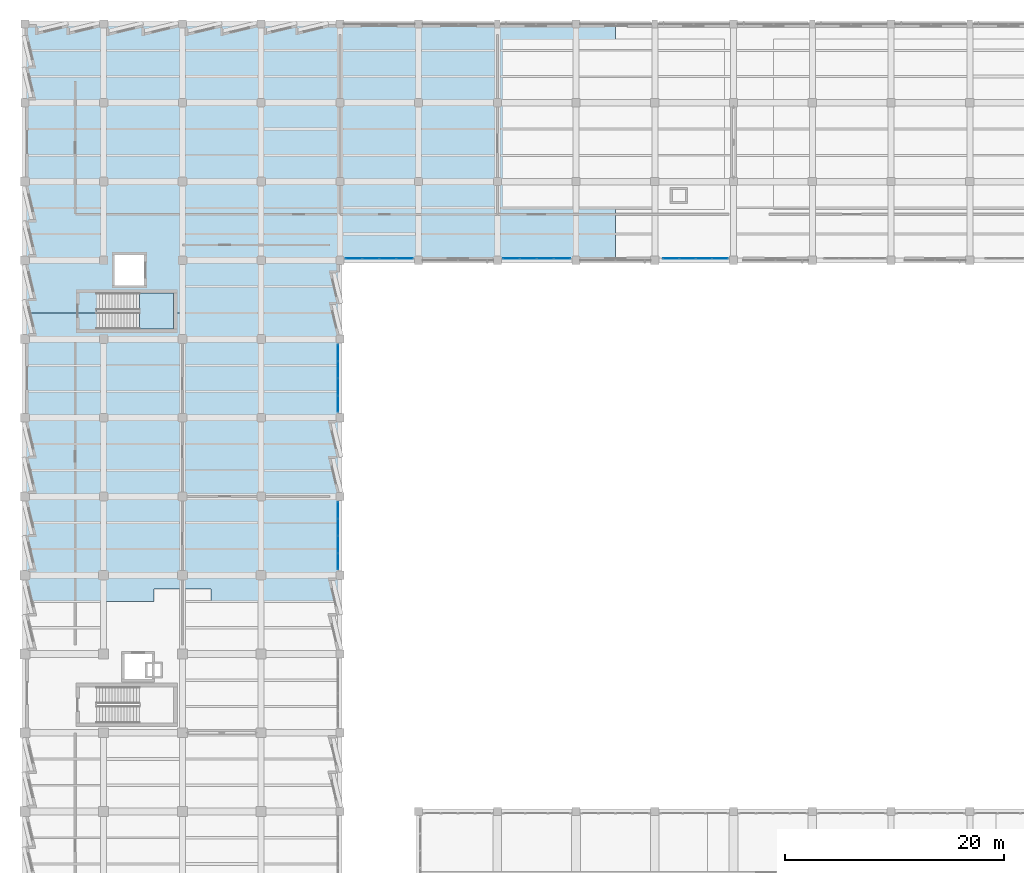
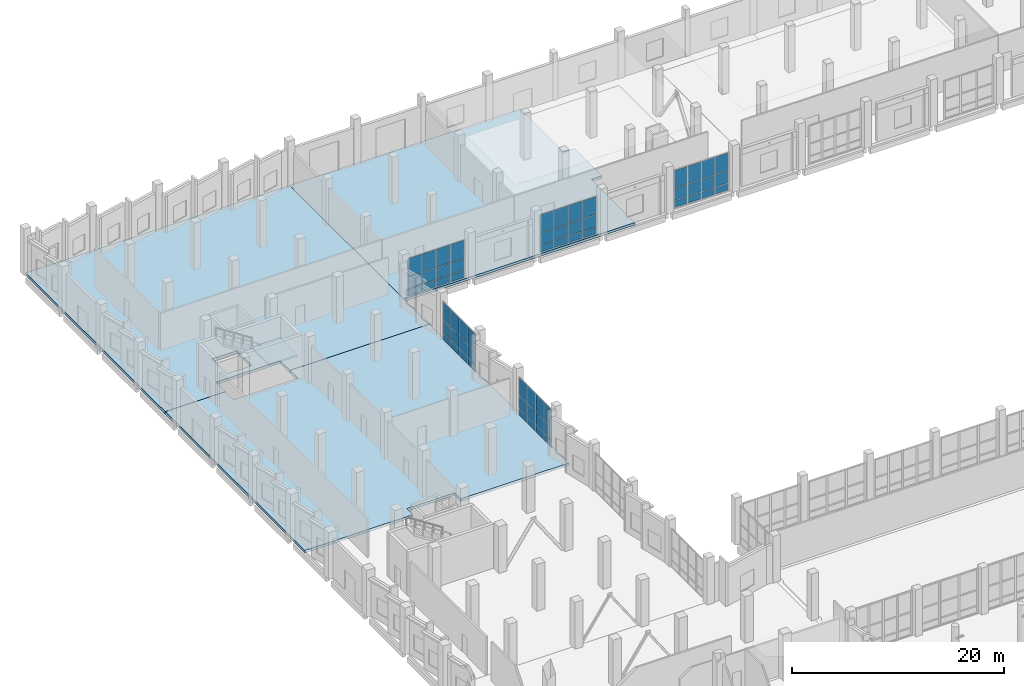
# One storey, part 90 of 137: 60 plates, 4 slabs, 6 elements without a shape of their own.
"""IFC4 building model written with IfcOpenShell, lengths in metres."""

from ifc_helpers import new_model, si_unit, direction, frame, origin, origin_2d, place, context, subcontext, project, spatial, polyline, rectangle, outline, extrude, material, layer, layer_set, type_object, element, aggregate, save


model = new_model("IFC4")

# Units and contexts
model_context = context("Model", 3, precision=1e-05, world=origin(), true_north=direction((0.0, 1.0)))
body_context = subcontext(model_context, "Body", "Model", "MODEL_VIEW")
ifc_project = project(units=[si_unit("LENGTHUNIT", "METRE"), si_unit("AREAUNIT", "SQUARE_METRE"), si_unit("VOLUMEUNIT", "CUBIC_METRE"), si_unit("PLANEANGLEUNIT", "RADIAN"), si_unit("MASSUNIT", "GRAM", prefix="KILO")], contexts=[model_context])

# Site, building, storey
site_placement = place(None, origin())
site = spatial("IfcSite", under=ifc_project, at=site_placement, CompositionType="ELEMENT")
building_placement = place(site_placement, origin())
building = spatial("IfcBuilding", under=site, at=building_placement, Name="Kalmorath City Hall", CompositionType="ELEMENT")
storey_placement = place(building_placement, origin())
storey = spatial("IfcBuildingStorey", under=building, at=storey_placement, Name="L00", CompositionType="ELEMENT", Elevation=0.0)

# Slabs
ifc_material_1 = material(Name="Concrete C40/50", Category="concrete")
ifc_layer_1 = layer(ifc_material_1, 0.300048828125)
ifc_layer_set_1 = layer_set([ifc_layer_1], Name="Concrete C40/50")
slab_type_1 = type_object("IfcSlabType", Name="Concrete ground floor slab 300", PredefinedType="FLOOR", material=ifc_layer_set_1)
slab_1_placement = place(storey_placement, frame((0.0, 0.0, -0.300048828125)))
element("IfcSlab", 1, at=slab_1_placement, inside=storey, type_object=slab_type_1, Name="L00 West Sawtooth Wing and Civic Storm Arcade slab FS1-2", PredefinedType="FLOOR", context=body_context, shape_type="SweptSolid", body=[
    extrude(outline(polyline([(17.0, 62.39990234375), (17.0, 63.550048828125), (11.800048828125, 63.550048828125), (11.800048828125, 62.39990234375), (0.0, 62.39990234375), (0.0, 88.800048828125), (6.590087890625, 88.800048828125), (6.590087890625, 87.300048828125), (13.60009765625, 87.300048828125), (13.60009765625, 88.800048828125), (28.800048828125, 88.800048828125), (28.800048828125, 62.39990234375), (17.0, 62.39990234375)])), origin(), (0.0, 0.0, 1.0), 0.300048828125),
])
slab_2_placement = place(storey_placement, frame((0.0, 0.0, -0.300048828125)))
element("IfcSlab", 2, at=slab_2_placement, inside=storey, type_object=slab_type_1, Name="L00 West Sawtooth Wing and Civic Storm Arcade slab FS1-3", PredefinedType="FLOOR", context=body_context, shape_type="SweptSolid", body=[
    extrude(outline(polyline([(28.800048828125, 115.199951171875), (28.800048828125, 88.800048828125), (13.60009765625, 88.800048828125), (13.60009765625, 90.60009765625), (6.590087890625, 90.60009765625), (6.590087890625, 88.800048828125), (0.0, 88.800048828125), (0.0, 115.199951171875), (28.800048828125, 115.199951171875)]), holes=[polyline([(8.199951171875, 94.10009765625), (8.199951171875, 91.300048828125), (10.89990234375, 91.300048828125), (10.89990234375, 94.10009765625), (8.199951171875, 94.10009765625)])]), origin(), (0.0, 0.0, 1.0), 0.300048828125),
])
slab_3_placement = place(storey_placement, frame((0.0, 0.0, -0.300048828125)))
element("IfcSlab", 3, at=slab_3_placement, inside=storey, type_object=slab_type_1, Name="L00 Basalt Rear Committee Wing slab FS1-1", PredefinedType="FLOOR", context=body_context, shape_type="SweptSolid", body=[
    extrude(outline(polyline([(28.800048828125, 115.199951171875), (54.0, 115.199951171875), (54.0, 107.0), (55.14990234375, 107.0), (55.14990234375, 101.800048828125), (54.0, 101.800048828125), (54.0, 93.60009765625), (28.800048828125, 93.60009765625), (28.800048828125, 115.199951171875)])), origin(), (0.0, 0.0, 1.0), 0.300048828125),
])

# Stair, slab
ifc_material_2 = material(Name="Concrete C40/50", Category="concrete")
stair_type = type_object("IfcStairType", Name="Dogleg concrete exit stair 30R x 180mm W1550", PredefinedType="HALF_TURN_STAIR", material=ifc_material_2)
stair_placement = place(storey_placement, origin())
stair = element("IfcStair", 4, at=stair_placement, inside=storey, type_object=stair_type, Name="L00 Protected exit stair ST-4", PredefinedType="HALF_TURN_STAIR")
ifc_material_3 = material(Name="Concrete C40/50", Category="concrete")
ifc_layer_2 = layer(ifc_material_3, 0.199951171875)
ifc_layer_set_2 = layer_set([ifc_layer_2], Name="Concrete C40/50")
slab_type_2 = type_object("IfcSlabType", Name="Concrete stair half-landing slab 200", PredefinedType="LANDING", material=ifc_layer_set_2)
slab_4_placement = place(storey_placement, frame((0.0, 0.0, 2.5)))
slab_4 = element("IfcSlab", 5, at=slab_4_placement, type_object=slab_type_2, Name="ST-4 landing 1", PredefinedType="LANDING", context=body_context, shape_type="SweptSolid", body=[
    extrude(outline(polyline([(10.469970703125, 87.300048828125), (13.60009765625, 87.300048828125), (13.60009765625, 90.60009765625), (10.469970703125, 90.60009765625), (10.469970703125, 87.300048828125)])), origin(), (0.0, 0.0, 1.0), 0.199951171875),
])
aggregate(stair, [slab_4])

# Curtain wall, plates
ifc_material_4 = material(Name="Anodised aluminium and laminated glass", Category="aluminium")
curtain_wall_type_1 = type_object("IfcCurtainWallType", Name="Unitised hurricane curtain wall 6027x4411 M1550", PredefinedType="NOTDEFINED", material=ifc_material_4)
curtain_wall_1_placement = place(storey_placement, origin())
curtain_wall_1 = element("IfcCurtainWall", 6, at=curtain_wall_1_placement, inside=storey, type_object=curtain_wall_type_1, Name="L00 curtain wall CW-60X44M16 #52", PredefinedType="NOTDEFINED")
ifc_material_5 = material(Name="Hurricane laminated low-E glass", Category="glass")
ifc_layer_3 = layer(ifc_material_5, 0.028076171875)
ifc_layer_set_3 = layer_set([ifc_layer_3], Name="Hurricane laminated low-E glass")
plate_type = type_object("IfcPlateType", Name="Courtyard solar-control glazed panel 28", PredefinedType="CURTAIN_PANEL", material=ifc_layer_set_3)
plate_1_placement = place(storey_placement, frame((63.5654296875, 93.760009765625, 0.06005859375), z_axis=(0.0, 0.0, 1.0), x_axis=(-1.0, 0.0, 0.0)))
plate_1 = element("IfcPlate", 7, at=plate_1_placement, type_object=plate_type, Name="CW-60X44M16 panel 1.1", PredefinedType="CURTAIN_PANEL", context=body_context, shape_type="SweptSolid", body=[
    extrude(rectangle(XDim=1.409423828125, YDim=0.028076171875, at=origin_2d()), origin(), (0.0, 0.0, 1.0), 0.760009765625),
])
plate_2_placement = place(storey_placement, frame((63.5654296875, 93.760009765625, 0.8798828125), z_axis=(0.0, 0.0, 1.0), x_axis=(-1.0, 0.0, 0.0)))
plate_2 = element("IfcPlate", 8, at=plate_2_placement, type_object=plate_type, Name="CW-60X44M16 panel 1.2", PredefinedType="CURTAIN_PANEL", context=body_context, shape_type="SweptSolid", body=[
    extrude(rectangle(XDim=1.409423828125, YDim=0.028076171875, at=origin_2d()), origin(), (0.0, 0.0, 1.0), 1.384033203125),
])
plate_3_placement = place(storey_placement, frame((63.5654296875, 93.760009765625, 2.32373046875), z_axis=(0.0, 0.0, 1.0), x_axis=(-1.0, 0.0, 0.0)))
plate_3 = element("IfcPlate", 9, at=plate_3_placement, type_object=plate_type, Name="CW-60X44M16 panel 1.3", PredefinedType="CURTAIN_PANEL", context=body_context, shape_type="SweptSolid", body=[
    extrude(rectangle(XDim=1.409423828125, YDim=0.028076171875, at=origin_2d()), origin(), (0.0, 0.0, 1.0), 2.027099609375),
])
plate_4_placement = place(storey_placement, frame((62.07470703125, 93.760009765625, 0.06005859375), z_axis=(0.0, 0.0, 1.0), x_axis=(-1.0, 0.0, 0.0)))
plate_4 = element("IfcPlate", 10, at=plate_4_placement, type_object=plate_type, Name="CW-60X44M16 panel 2.1", PredefinedType="CURTAIN_PANEL", context=body_context, shape_type="SweptSolid", body=[
    extrude(rectangle(XDim=1.44189453125, YDim=0.028076171875, at=origin_2d()), origin(), (0.0, 0.0, 1.0), 0.760009765625),
])
plate_5_placement = place(storey_placement, frame((62.07470703125, 93.760009765625, 0.8798828125), z_axis=(0.0, 0.0, 1.0), x_axis=(-1.0, 0.0, 0.0)))
plate_5 = element("IfcPlate", 11, at=plate_5_placement, type_object=plate_type, Name="CW-60X44M16 panel 2.2", PredefinedType="CURTAIN_PANEL", context=body_context, shape_type="SweptSolid", body=[
    extrude(rectangle(XDim=1.44189453125, YDim=0.028076171875, at=origin_2d()), origin(), (0.0, 0.0, 1.0), 1.384033203125),
])
plate_6_placement = place(storey_placement, frame((62.07470703125, 93.760009765625, 2.32373046875), z_axis=(0.0, 0.0, 1.0), x_axis=(-1.0, 0.0, 0.0)))
plate_6 = element("IfcPlate", 12, at=plate_6_placement, type_object=plate_type, Name="CW-60X44M16 panel 2.3", PredefinedType="CURTAIN_PANEL", context=body_context, shape_type="SweptSolid", body=[
    extrude(rectangle(XDim=1.44189453125, YDim=0.028076171875, at=origin_2d()), origin(), (0.0, 0.0, 1.0), 2.027099609375),
])
plate_7_placement = place(storey_placement, frame((60.56787109375, 93.760009765625, 0.06005859375), z_axis=(0.0, 0.0, 1.0), x_axis=(-1.0, 0.0, 0.0)))
plate_7 = element("IfcPlate", 13, at=plate_7_placement, type_object=plate_type, Name="CW-60X44M16 panel 3.1", PredefinedType="CURTAIN_PANEL", context=body_context, shape_type="SweptSolid", body=[
    extrude(rectangle(XDim=1.44189453125, YDim=0.028076171875, at=origin_2d()), origin(), (0.0, 0.0, 1.0), 0.760009765625),
])
plate_8_placement = place(storey_placement, frame((60.56787109375, 93.760009765625, 0.8798828125), z_axis=(0.0, 0.0, 1.0), x_axis=(-1.0, 0.0, 0.0)))
plate_8 = element("IfcPlate", 14, at=plate_8_placement, type_object=plate_type, Name="CW-60X44M16 panel 3.2", PredefinedType="CURTAIN_PANEL", context=body_context, shape_type="SweptSolid", body=[
    extrude(rectangle(XDim=1.44189453125, YDim=0.028076171875, at=origin_2d()), origin(), (0.0, 0.0, 1.0), 1.384033203125),
])
plate_9_placement = place(storey_placement, frame((60.56787109375, 93.760009765625, 2.32373046875), z_axis=(0.0, 0.0, 1.0), x_axis=(-1.0, 0.0, 0.0)))
plate_9 = element("IfcPlate", 15, at=plate_9_placement, type_object=plate_type, Name="CW-60X44M16 panel 3.3", PredefinedType="CURTAIN_PANEL", context=body_context, shape_type="SweptSolid", body=[
    extrude(rectangle(XDim=1.44189453125, YDim=0.028076171875, at=origin_2d()), origin(), (0.0, 0.0, 1.0), 2.027099609375),
])
plate_10_placement = place(storey_placement, frame((59.077392578125, 93.760009765625, 0.06005859375), z_axis=(0.0, 0.0, 1.0), x_axis=(-1.0, 0.0, 0.0)))
plate_10 = element("IfcPlate", 16, at=plate_10_placement, type_object=plate_type, Name="CW-60X44M16 panel 4.1", PredefinedType="CURTAIN_PANEL", context=body_context, shape_type="SweptSolid", body=[
    extrude(rectangle(XDim=1.409423828125, YDim=0.028076171875, at=origin_2d()), origin(), (0.0, 0.0, 1.0), 0.760009765625),
])
plate_11_placement = place(storey_placement, frame((59.077392578125, 93.760009765625, 0.8798828125), z_axis=(0.0, 0.0, 1.0), x_axis=(-1.0, 0.0, 0.0)))
plate_11 = element("IfcPlate", 17, at=plate_11_placement, type_object=plate_type, Name="CW-60X44M16 panel 4.2", PredefinedType="CURTAIN_PANEL", context=body_context, shape_type="SweptSolid", body=[
    extrude(rectangle(XDim=1.409423828125, YDim=0.028076171875, at=origin_2d()), origin(), (0.0, 0.0, 1.0), 1.384033203125),
])
plate_12_placement = place(storey_placement, frame((59.077392578125, 93.760009765625, 2.32373046875), z_axis=(0.0, 0.0, 1.0), x_axis=(-1.0, 0.0, 0.0)))
plate_12 = element("IfcPlate", 18, at=plate_12_placement, type_object=plate_type, Name="CW-60X44M16 panel 4.3", PredefinedType="CURTAIN_PANEL", context=body_context, shape_type="SweptSolid", body=[
    extrude(rectangle(XDim=1.409423828125, YDim=0.028076171875, at=origin_2d()), origin(), (0.0, 0.0, 1.0), 2.027099609375),
])
aggregate(curtain_wall_1, [plate_1, plate_2, plate_3, plate_4, plate_5, plate_6, plate_7, plate_8, plate_9, plate_10, plate_11, plate_12])

ifc_material_6 = material(Name="Anodised aluminium and laminated glass", Category="aluminium")
curtain_wall_type_2 = type_object("IfcCurtainWallType", Name="Unitised hurricane curtain wall 6270x4411 M1550", PredefinedType="NOTDEFINED", material=ifc_material_6)
curtain_wall_2_placement = place(storey_placement, origin())
curtain_wall_2 = element("IfcCurtainWall", 19, at=curtain_wall_2_placement, inside=storey, type_object=curtain_wall_type_2, Name="L00 curtain wall CW-63X44M16 #53", PredefinedType="NOTDEFINED")
plate_13_placement = place(storey_placement, frame((49.135009765625, 93.760009765625, 0.06005859375), z_axis=(0.0, 0.0, 1.0), x_axis=(-1.0, 0.0, 0.0)))
plate_13 = element("IfcPlate", 20, at=plate_13_placement, type_object=plate_type, Name="CW-63X44M16 panel 1.1", PredefinedType="CURTAIN_PANEL", context=body_context, shape_type="SweptSolid", body=[
    extrude(rectangle(XDim=1.469970703125, YDim=0.028076171875, at=origin_2d()), origin(), (0.0, 0.0, 1.0), 0.760009765625),
])
plate_14_placement = place(storey_placement, frame((49.135009765625, 93.760009765625, 0.8798828125), z_axis=(0.0, 0.0, 1.0), x_axis=(-1.0, 0.0, 0.0)))
plate_14 = element("IfcPlate", 21, at=plate_14_placement, type_object=plate_type, Name="CW-63X44M16 panel 1.2", PredefinedType="CURTAIN_PANEL", context=body_context, shape_type="SweptSolid", body=[
    extrude(rectangle(XDim=1.469970703125, YDim=0.028076171875, at=origin_2d()), origin(), (0.0, 0.0, 1.0), 1.384033203125),
])
plate_15_placement = place(storey_placement, frame((49.135009765625, 93.760009765625, 2.32373046875), z_axis=(0.0, 0.0, 1.0), x_axis=(-1.0, 0.0, 0.0)))
plate_15 = element("IfcPlate", 22, at=plate_15_placement, type_object=plate_type, Name="CW-63X44M16 panel 1.3", PredefinedType="CURTAIN_PANEL", context=body_context, shape_type="SweptSolid", body=[
    extrude(rectangle(XDim=1.469970703125, YDim=0.028076171875, at=origin_2d()), origin(), (0.0, 0.0, 1.0), 2.027099609375),
])
plate_16_placement = place(storey_placement, frame((47.583740234375, 93.760009765625, 0.06005859375), z_axis=(0.0, 0.0, 1.0), x_axis=(-1.0, 0.0, 0.0)))
plate_16 = element("IfcPlate", 23, at=plate_16_placement, type_object=plate_type, Name="CW-63X44M16 panel 2.1", PredefinedType="CURTAIN_PANEL", context=body_context, shape_type="SweptSolid", body=[
    extrude(rectangle(XDim=1.50244140625, YDim=0.028076171875, at=origin_2d()), origin(), (0.0, 0.0, 1.0), 0.760009765625),
])
plate_17_placement = place(storey_placement, frame((47.583740234375, 93.760009765625, 0.8798828125), z_axis=(0.0, 0.0, 1.0), x_axis=(-1.0, 0.0, 0.0)))
plate_17 = element("IfcPlate", 24, at=plate_17_placement, type_object=plate_type, Name="CW-63X44M16 panel 2.2", PredefinedType="CURTAIN_PANEL", context=body_context, shape_type="SweptSolid", body=[
    extrude(rectangle(XDim=1.50244140625, YDim=0.028076171875, at=origin_2d()), origin(), (0.0, 0.0, 1.0), 1.384033203125),
])
plate_18_placement = place(storey_placement, frame((47.583740234375, 93.760009765625, 2.32373046875), z_axis=(0.0, 0.0, 1.0), x_axis=(-1.0, 0.0, 0.0)))
plate_18 = element("IfcPlate", 25, at=plate_18_placement, type_object=plate_type, Name="CW-63X44M16 panel 2.3", PredefinedType="CURTAIN_PANEL", context=body_context, shape_type="SweptSolid", body=[
    extrude(rectangle(XDim=1.50244140625, YDim=0.028076171875, at=origin_2d()), origin(), (0.0, 0.0, 1.0), 2.027099609375),
])
plate_19_placement = place(storey_placement, frame((46.016357421875, 93.760009765625, 0.06005859375), z_axis=(0.0, 0.0, 1.0), x_axis=(-1.0, 0.0, 0.0)))
plate_19 = element("IfcPlate", 26, at=plate_19_placement, type_object=plate_type, Name="CW-63X44M16 panel 3.1", PredefinedType="CURTAIN_PANEL", context=body_context, shape_type="SweptSolid", body=[
    extrude(rectangle(XDim=1.50244140625, YDim=0.028076171875, at=origin_2d()), origin(), (0.0, 0.0, 1.0), 0.760009765625),
])
plate_20_placement = place(storey_placement, frame((46.016357421875, 93.760009765625, 0.8798828125), z_axis=(0.0, 0.0, 1.0), x_axis=(-1.0, 0.0, 0.0)))
plate_20 = element("IfcPlate", 27, at=plate_20_placement, type_object=plate_type, Name="CW-63X44M16 panel 3.2", PredefinedType="CURTAIN_PANEL", context=body_context, shape_type="SweptSolid", body=[
    extrude(rectangle(XDim=1.50244140625, YDim=0.028076171875, at=origin_2d()), origin(), (0.0, 0.0, 1.0), 1.384033203125),
])
plate_21_placement = place(storey_placement, frame((46.016357421875, 93.760009765625, 2.32373046875), z_axis=(0.0, 0.0, 1.0), x_axis=(-1.0, 0.0, 0.0)))
plate_21 = element("IfcPlate", 28, at=plate_21_placement, type_object=plate_type, Name="CW-63X44M16 panel 3.3", PredefinedType="CURTAIN_PANEL", context=body_context, shape_type="SweptSolid", body=[
    extrude(rectangle(XDim=1.50244140625, YDim=0.028076171875, at=origin_2d()), origin(), (0.0, 0.0, 1.0), 2.027099609375),
])
plate_22_placement = place(storey_placement, frame((44.465087890625, 93.760009765625, 0.06005859375), z_axis=(0.0, 0.0, 1.0), x_axis=(-1.0, 0.0, 0.0)))
plate_22 = element("IfcPlate", 29, at=plate_22_placement, type_object=plate_type, Name="CW-63X44M16 panel 4.1", PredefinedType="CURTAIN_PANEL", context=body_context, shape_type="SweptSolid", body=[
    extrude(rectangle(XDim=1.469970703125, YDim=0.028076171875, at=origin_2d()), origin(), (0.0, 0.0, 1.0), 0.760009765625),
])
plate_23_placement = place(storey_placement, frame((44.465087890625, 93.760009765625, 0.8798828125), z_axis=(0.0, 0.0, 1.0), x_axis=(-1.0, 0.0, 0.0)))
plate_23 = element("IfcPlate", 30, at=plate_23_placement, type_object=plate_type, Name="CW-63X44M16 panel 4.2", PredefinedType="CURTAIN_PANEL", context=body_context, shape_type="SweptSolid", body=[
    extrude(rectangle(XDim=1.469970703125, YDim=0.028076171875, at=origin_2d()), origin(), (0.0, 0.0, 1.0), 1.384033203125),
])
plate_24_placement = place(storey_placement, frame((44.465087890625, 93.760009765625, 2.32373046875), z_axis=(0.0, 0.0, 1.0), x_axis=(-1.0, 0.0, 0.0)))
plate_24 = element("IfcPlate", 31, at=plate_24_placement, type_object=plate_type, Name="CW-63X44M16 panel 4.3", PredefinedType="CURTAIN_PANEL", context=body_context, shape_type="SweptSolid", body=[
    extrude(rectangle(XDim=1.469970703125, YDim=0.028076171875, at=origin_2d()), origin(), (0.0, 0.0, 1.0), 2.027099609375),
])
aggregate(curtain_wall_2, [plate_13, plate_14, plate_15, plate_16, plate_17, plate_18, plate_19, plate_20, plate_21, plate_22, plate_23, plate_24])

curtain_wall_3_placement = place(storey_placement, origin())
curtain_wall_3 = element("IfcCurtainWall", 32, at=curtain_wall_3_placement, inside=storey, type_object=curtain_wall_type_2, Name="L00 curtain wall CW-63X44M16 #54", PredefinedType="NOTDEFINED")
plate_25_placement = place(storey_placement, frame((34.735107421875, 93.760009765625, 0.06005859375), z_axis=(0.0, 0.0, 1.0), x_axis=(-1.0, 0.0, 0.0)))
plate_25 = element("IfcPlate", 33, at=plate_25_placement, type_object=plate_type, Name="CW-63X44M16 panel 1.1", PredefinedType="CURTAIN_PANEL", context=body_context, shape_type="SweptSolid", body=[
    extrude(rectangle(XDim=1.469970703125, YDim=0.028076171875, at=origin_2d()), origin(), (0.0, 0.0, 1.0), 0.760009765625),
])
plate_26_placement = place(storey_placement, frame((34.735107421875, 93.760009765625, 0.8798828125), z_axis=(0.0, 0.0, 1.0), x_axis=(-1.0, 0.0, 0.0)))
plate_26 = element("IfcPlate", 34, at=plate_26_placement, type_object=plate_type, Name="CW-63X44M16 panel 1.2", PredefinedType="CURTAIN_PANEL", context=body_context, shape_type="SweptSolid", body=[
    extrude(rectangle(XDim=1.469970703125, YDim=0.028076171875, at=origin_2d()), origin(), (0.0, 0.0, 1.0), 1.384033203125),
])
plate_27_placement = place(storey_placement, frame((34.735107421875, 93.760009765625, 2.32373046875), z_axis=(0.0, 0.0, 1.0), x_axis=(-1.0, 0.0, 0.0)))
plate_27 = element("IfcPlate", 35, at=plate_27_placement, type_object=plate_type, Name="CW-63X44M16 panel 1.3", PredefinedType="CURTAIN_PANEL", context=body_context, shape_type="SweptSolid", body=[
    extrude(rectangle(XDim=1.469970703125, YDim=0.028076171875, at=origin_2d()), origin(), (0.0, 0.0, 1.0), 2.027099609375),
])
plate_28_placement = place(storey_placement, frame((33.183837890625, 93.760009765625, 0.06005859375), z_axis=(0.0, 0.0, 1.0), x_axis=(-1.0, 0.0, 0.0)))
plate_28 = element("IfcPlate", 36, at=plate_28_placement, type_object=plate_type, Name="CW-63X44M16 panel 2.1", PredefinedType="CURTAIN_PANEL", context=body_context, shape_type="SweptSolid", body=[
    extrude(rectangle(XDim=1.50244140625, YDim=0.028076171875, at=origin_2d()), origin(), (0.0, 0.0, 1.0), 0.760009765625),
])
plate_29_placement = place(storey_placement, frame((33.183837890625, 93.760009765625, 0.8798828125), z_axis=(0.0, 0.0, 1.0), x_axis=(-1.0, 0.0, 0.0)))
plate_29 = element("IfcPlate", 37, at=plate_29_placement, type_object=plate_type, Name="CW-63X44M16 panel 2.2", PredefinedType="CURTAIN_PANEL", context=body_context, shape_type="SweptSolid", body=[
    extrude(rectangle(XDim=1.50244140625, YDim=0.028076171875, at=origin_2d()), origin(), (0.0, 0.0, 1.0), 1.384033203125),
])
plate_30_placement = place(storey_placement, frame((33.183837890625, 93.760009765625, 2.32373046875), z_axis=(0.0, 0.0, 1.0), x_axis=(-1.0, 0.0, 0.0)))
plate_30 = element("IfcPlate", 38, at=plate_30_placement, type_object=plate_type, Name="CW-63X44M16 panel 2.3", PredefinedType="CURTAIN_PANEL", context=body_context, shape_type="SweptSolid", body=[
    extrude(rectangle(XDim=1.50244140625, YDim=0.028076171875, at=origin_2d()), origin(), (0.0, 0.0, 1.0), 2.027099609375),
])
plate_31_placement = place(storey_placement, frame((31.6162109375, 93.760009765625, 0.06005859375), z_axis=(0.0, 0.0, 1.0), x_axis=(-1.0, 0.0, 0.0)))
plate_31 = element("IfcPlate", 39, at=plate_31_placement, type_object=plate_type, Name="CW-63X44M16 panel 3.1", PredefinedType="CURTAIN_PANEL", context=body_context, shape_type="SweptSolid", body=[
    extrude(rectangle(XDim=1.50244140625, YDim=0.028076171875, at=origin_2d()), origin(), (0.0, 0.0, 1.0), 0.760009765625),
])
plate_32_placement = place(storey_placement, frame((31.6162109375, 93.760009765625, 0.8798828125), z_axis=(0.0, 0.0, 1.0), x_axis=(-1.0, 0.0, 0.0)))
plate_32 = element("IfcPlate", 40, at=plate_32_placement, type_object=plate_type, Name="CW-63X44M16 panel 3.2", PredefinedType="CURTAIN_PANEL", context=body_context, shape_type="SweptSolid", body=[
    extrude(rectangle(XDim=1.50244140625, YDim=0.028076171875, at=origin_2d()), origin(), (0.0, 0.0, 1.0), 1.384033203125),
])
plate_33_placement = place(storey_placement, frame((31.6162109375, 93.760009765625, 2.32373046875), z_axis=(0.0, 0.0, 1.0), x_axis=(-1.0, 0.0, 0.0)))
plate_33 = element("IfcPlate", 41, at=plate_33_placement, type_object=plate_type, Name="CW-63X44M16 panel 3.3", PredefinedType="CURTAIN_PANEL", context=body_context, shape_type="SweptSolid", body=[
    extrude(rectangle(XDim=1.50244140625, YDim=0.028076171875, at=origin_2d()), origin(), (0.0, 0.0, 1.0), 2.027099609375),
])
plate_34_placement = place(storey_placement, frame((30.06494140625, 93.760009765625, 0.06005859375), z_axis=(0.0, 0.0, 1.0), x_axis=(-1.0, 0.0, 0.0)))
plate_34 = element("IfcPlate", 42, at=plate_34_placement, type_object=plate_type, Name="CW-63X44M16 panel 4.1", PredefinedType="CURTAIN_PANEL", context=body_context, shape_type="SweptSolid", body=[
    extrude(rectangle(XDim=1.469970703125, YDim=0.028076171875, at=origin_2d()), origin(), (0.0, 0.0, 1.0), 0.760009765625),
])
plate_35_placement = place(storey_placement, frame((30.06494140625, 93.760009765625, 0.8798828125), z_axis=(0.0, 0.0, 1.0), x_axis=(-1.0, 0.0, 0.0)))
plate_35 = element("IfcPlate", 43, at=plate_35_placement, type_object=plate_type, Name="CW-63X44M16 panel 4.2", PredefinedType="CURTAIN_PANEL", context=body_context, shape_type="SweptSolid", body=[
    extrude(rectangle(XDim=1.469970703125, YDim=0.028076171875, at=origin_2d()), origin(), (0.0, 0.0, 1.0), 1.384033203125),
])
plate_36_placement = place(storey_placement, frame((30.06494140625, 93.760009765625, 2.32373046875), z_axis=(0.0, 0.0, 1.0), x_axis=(-1.0, 0.0, 0.0)))
plate_36 = element("IfcPlate", 44, at=plate_36_placement, type_object=plate_type, Name="CW-63X44M16 panel 4.3", PredefinedType="CURTAIN_PANEL", context=body_context, shape_type="SweptSolid", body=[
    extrude(rectangle(XDim=1.469970703125, YDim=0.028076171875, at=origin_2d()), origin(), (0.0, 0.0, 1.0), 2.027099609375),
])
aggregate(curtain_wall_3, [plate_25, plate_26, plate_27, plate_28, plate_29, plate_30, plate_31, plate_32, plate_33, plate_34, plate_35, plate_36])

ifc_material_7 = material(Name="Anodised aluminium and laminated glass", Category="aluminium")
curtain_wall_type_3 = type_object("IfcCurtainWallType", Name="Unitised hurricane curtain wall 6270x4461 M1600", PredefinedType="NOTDEFINED", material=ifc_material_7)
curtain_wall_4_placement = place(storey_placement, origin())
curtain_wall_4 = element("IfcCurtainWall", 45, at=curtain_wall_4_placement, inside=storey, type_object=curtain_wall_type_3, Name="L00 curtain wall CW-63X45M16 #55", PredefinedType="NOTDEFINED")
plate_37_placement = place(storey_placement, frame((28.639892578125, 85.135009765625, 0.06005859375), z_axis=(0.0, 0.0, 1.0), x_axis=(0.0, -1.0, 0.0)))
plate_37 = element("IfcPlate", 46, at=plate_37_placement, type_object=plate_type, Name="CW-63X45M16 panel 1.1", PredefinedType="CURTAIN_PANEL", context=body_context, shape_type="SweptSolid", body=[
    extrude(rectangle(XDim=1.469970703125, YDim=0.028076171875, at=origin_2d()), origin(), (0.0, 0.0, 1.0), 0.760009765625),
])
plate_38_placement = place(storey_placement, frame((28.639892578125, 85.135009765625, 0.8798828125), z_axis=(0.0, 0.0, 1.0), x_axis=(0.0, -1.0, 0.0)))
plate_38 = element("IfcPlate", 47, at=plate_38_placement, type_object=plate_type, Name="CW-63X45M16 panel 1.2", PredefinedType="CURTAIN_PANEL", context=body_context, shape_type="SweptSolid", body=[
    extrude(rectangle(XDim=1.469970703125, YDim=0.028076171875, at=origin_2d()), origin(), (0.0, 0.0, 1.0), 1.409912109375),
])
plate_39_placement = place(storey_placement, frame((28.639892578125, 85.135009765625, 2.35009765625), z_axis=(0.0, 0.0, 1.0), x_axis=(0.0, -1.0, 0.0)))
plate_39 = element("IfcPlate", 48, at=plate_39_placement, type_object=plate_type, Name="CW-63X45M16 panel 1.3", PredefinedType="CURTAIN_PANEL", context=body_context, shape_type="SweptSolid", body=[
    extrude(rectangle(XDim=1.469970703125, YDim=0.028076171875, at=origin_2d()), origin(), (0.0, 0.0, 1.0), 2.051025390625),
])
plate_40_placement = place(storey_placement, frame((28.639892578125, 83.583740234375, 0.06005859375), z_axis=(0.0, 0.0, 1.0), x_axis=(0.0, -1.0, 0.0)))
plate_40 = element("IfcPlate", 49, at=plate_40_placement, type_object=plate_type, Name="CW-63X45M16 panel 2.1", PredefinedType="CURTAIN_PANEL", context=body_context, shape_type="SweptSolid", body=[
    extrude(rectangle(XDim=1.50244140625, YDim=0.028076171875, at=origin_2d()), origin(), (0.0, 0.0, 1.0), 0.760009765625),
])
plate_41_placement = place(storey_placement, frame((28.639892578125, 83.583740234375, 0.8798828125), z_axis=(0.0, 0.0, 1.0), x_axis=(0.0, -1.0, 0.0)))
plate_41 = element("IfcPlate", 50, at=plate_41_placement, type_object=plate_type, Name="CW-63X45M16 panel 2.2", PredefinedType="CURTAIN_PANEL", context=body_context, shape_type="SweptSolid", body=[
    extrude(rectangle(XDim=1.50244140625, YDim=0.028076171875, at=origin_2d()), origin(), (0.0, 0.0, 1.0), 1.409912109375),
])
plate_42_placement = place(storey_placement, frame((28.639892578125, 83.583740234375, 2.35009765625), z_axis=(0.0, 0.0, 1.0), x_axis=(0.0, -1.0, 0.0)))
plate_42 = element("IfcPlate", 51, at=plate_42_placement, type_object=plate_type, Name="CW-63X45M16 panel 2.3", PredefinedType="CURTAIN_PANEL", context=body_context, shape_type="SweptSolid", body=[
    extrude(rectangle(XDim=1.50244140625, YDim=0.028076171875, at=origin_2d()), origin(), (0.0, 0.0, 1.0), 2.051025390625),
])
plate_43_placement = place(storey_placement, frame((28.639892578125, 82.016357421875, 0.06005859375), z_axis=(0.0, 0.0, 1.0), x_axis=(0.0, -1.0, 0.0)))
plate_43 = element("IfcPlate", 52, at=plate_43_placement, type_object=plate_type, Name="CW-63X45M16 panel 3.1", PredefinedType="CURTAIN_PANEL", context=body_context, shape_type="SweptSolid", body=[
    extrude(rectangle(XDim=1.50244140625, YDim=0.028076171875, at=origin_2d()), origin(), (0.0, 0.0, 1.0), 0.760009765625),
])
plate_44_placement = place(storey_placement, frame((28.639892578125, 82.016357421875, 0.8798828125), z_axis=(0.0, 0.0, 1.0), x_axis=(0.0, -1.0, 0.0)))
plate_44 = element("IfcPlate", 53, at=plate_44_placement, type_object=plate_type, Name="CW-63X45M16 panel 3.2", PredefinedType="CURTAIN_PANEL", context=body_context, shape_type="SweptSolid", body=[
    extrude(rectangle(XDim=1.50244140625, YDim=0.028076171875, at=origin_2d()), origin(), (0.0, 0.0, 1.0), 1.409912109375),
])
plate_45_placement = place(storey_placement, frame((28.639892578125, 82.016357421875, 2.35009765625), z_axis=(0.0, 0.0, 1.0), x_axis=(0.0, -1.0, 0.0)))
plate_45 = element("IfcPlate", 54, at=plate_45_placement, type_object=plate_type, Name="CW-63X45M16 panel 3.3", PredefinedType="CURTAIN_PANEL", context=body_context, shape_type="SweptSolid", body=[
    extrude(rectangle(XDim=1.50244140625, YDim=0.028076171875, at=origin_2d()), origin(), (0.0, 0.0, 1.0), 2.051025390625),
])
plate_46_placement = place(storey_placement, frame((28.639892578125, 80.465087890625, 0.06005859375), z_axis=(0.0, 0.0, 1.0), x_axis=(0.0, -1.0, 0.0)))
plate_46 = element("IfcPlate", 55, at=plate_46_placement, type_object=plate_type, Name="CW-63X45M16 panel 4.1", PredefinedType="CURTAIN_PANEL", context=body_context, shape_type="SweptSolid", body=[
    extrude(rectangle(XDim=1.469970703125, YDim=0.028076171875, at=origin_2d()), origin(), (0.0, 0.0, 1.0), 0.760009765625),
])
plate_47_placement = place(storey_placement, frame((28.639892578125, 80.465087890625, 0.8798828125), z_axis=(0.0, 0.0, 1.0), x_axis=(0.0, -1.0, 0.0)))
plate_47 = element("IfcPlate", 56, at=plate_47_placement, type_object=plate_type, Name="CW-63X45M16 panel 4.2", PredefinedType="CURTAIN_PANEL", context=body_context, shape_type="SweptSolid", body=[
    extrude(rectangle(XDim=1.469970703125, YDim=0.028076171875, at=origin_2d()), origin(), (0.0, 0.0, 1.0), 1.409912109375),
])
plate_48_placement = place(storey_placement, frame((28.639892578125, 80.465087890625, 2.35009765625), z_axis=(0.0, 0.0, 1.0), x_axis=(0.0, -1.0, 0.0)))
plate_48 = element("IfcPlate", 57, at=plate_48_placement, type_object=plate_type, Name="CW-63X45M16 panel 4.3", PredefinedType="CURTAIN_PANEL", context=body_context, shape_type="SweptSolid", body=[
    extrude(rectangle(XDim=1.469970703125, YDim=0.028076171875, at=origin_2d()), origin(), (0.0, 0.0, 1.0), 2.051025390625),
])
aggregate(curtain_wall_4, [plate_37, plate_38, plate_39, plate_40, plate_41, plate_42, plate_43, plate_44, plate_45, plate_46, plate_47, plate_48])

curtain_wall_5_placement = place(storey_placement, origin())
curtain_wall_5 = element("IfcCurtainWall", 58, at=curtain_wall_5_placement, inside=storey, type_object=curtain_wall_type_3, Name="L00 curtain wall CW-63X45M16 #56", PredefinedType="NOTDEFINED")
plate_49_placement = place(storey_placement, frame((28.639892578125, 70.735107421875, 0.06005859375), z_axis=(0.0, 0.0, 1.0), x_axis=(0.0, -1.0, 0.0)))
plate_49 = element("IfcPlate", 59, at=plate_49_placement, type_object=plate_type, Name="CW-63X45M16 panel 1.1", PredefinedType="CURTAIN_PANEL", context=body_context, shape_type="SweptSolid", body=[
    extrude(rectangle(XDim=1.469970703125, YDim=0.028076171875, at=origin_2d()), origin(), (0.0, 0.0, 1.0), 0.760009765625),
])
plate_50_placement = place(storey_placement, frame((28.639892578125, 70.735107421875, 0.8798828125), z_axis=(0.0, 0.0, 1.0), x_axis=(0.0, -1.0, 0.0)))
plate_50 = element("IfcPlate", 60, at=plate_50_placement, type_object=plate_type, Name="CW-63X45M16 panel 1.2", PredefinedType="CURTAIN_PANEL", context=body_context, shape_type="SweptSolid", body=[
    extrude(rectangle(XDim=1.469970703125, YDim=0.028076171875, at=origin_2d()), origin(), (0.0, 0.0, 1.0), 1.409912109375),
])
plate_51_placement = place(storey_placement, frame((28.639892578125, 70.735107421875, 2.35009765625), z_axis=(0.0, 0.0, 1.0), x_axis=(0.0, -1.0, 0.0)))
plate_51 = element("IfcPlate", 61, at=plate_51_placement, type_object=plate_type, Name="CW-63X45M16 panel 1.3", PredefinedType="CURTAIN_PANEL", context=body_context, shape_type="SweptSolid", body=[
    extrude(rectangle(XDim=1.469970703125, YDim=0.028076171875, at=origin_2d()), origin(), (0.0, 0.0, 1.0), 2.051025390625),
])
plate_52_placement = place(storey_placement, frame((28.639892578125, 69.183837890625, 0.06005859375), z_axis=(0.0, 0.0, 1.0), x_axis=(0.0, -1.0, 0.0)))
plate_52 = element("IfcPlate", 62, at=plate_52_placement, type_object=plate_type, Name="CW-63X45M16 panel 2.1", PredefinedType="CURTAIN_PANEL", context=body_context, shape_type="SweptSolid", body=[
    extrude(rectangle(XDim=1.50244140625, YDim=0.028076171875, at=origin_2d()), origin(), (0.0, 0.0, 1.0), 0.760009765625),
])
plate_53_placement = place(storey_placement, frame((28.639892578125, 69.183837890625, 0.8798828125), z_axis=(0.0, 0.0, 1.0), x_axis=(0.0, -1.0, 0.0)))
plate_53 = element("IfcPlate", 63, at=plate_53_placement, type_object=plate_type, Name="CW-63X45M16 panel 2.2", PredefinedType="CURTAIN_PANEL", context=body_context, shape_type="SweptSolid", body=[
    extrude(rectangle(XDim=1.50244140625, YDim=0.028076171875, at=origin_2d()), origin(), (0.0, 0.0, 1.0), 1.409912109375),
])
plate_54_placement = place(storey_placement, frame((28.639892578125, 69.183837890625, 2.35009765625), z_axis=(0.0, 0.0, 1.0), x_axis=(0.0, -1.0, 0.0)))
plate_54 = element("IfcPlate", 64, at=plate_54_placement, type_object=plate_type, Name="CW-63X45M16 panel 2.3", PredefinedType="CURTAIN_PANEL", context=body_context, shape_type="SweptSolid", body=[
    extrude(rectangle(XDim=1.50244140625, YDim=0.028076171875, at=origin_2d()), origin(), (0.0, 0.0, 1.0), 2.051025390625),
])
plate_55_placement = place(storey_placement, frame((28.639892578125, 67.6162109375, 0.06005859375), z_axis=(0.0, 0.0, 1.0), x_axis=(0.0, -1.0, 0.0)))
plate_55 = element("IfcPlate", 65, at=plate_55_placement, type_object=plate_type, Name="CW-63X45M16 panel 3.1", PredefinedType="CURTAIN_PANEL", context=body_context, shape_type="SweptSolid", body=[
    extrude(rectangle(XDim=1.50244140625, YDim=0.028076171875, at=origin_2d()), origin(), (0.0, 0.0, 1.0), 0.760009765625),
])
plate_56_placement = place(storey_placement, frame((28.639892578125, 67.6162109375, 0.8798828125), z_axis=(0.0, 0.0, 1.0), x_axis=(0.0, -1.0, 0.0)))
plate_56 = element("IfcPlate", 66, at=plate_56_placement, type_object=plate_type, Name="CW-63X45M16 panel 3.2", PredefinedType="CURTAIN_PANEL", context=body_context, shape_type="SweptSolid", body=[
    extrude(rectangle(XDim=1.50244140625, YDim=0.028076171875, at=origin_2d()), origin(), (0.0, 0.0, 1.0), 1.409912109375),
])
plate_57_placement = place(storey_placement, frame((28.639892578125, 67.6162109375, 2.35009765625), z_axis=(0.0, 0.0, 1.0), x_axis=(0.0, -1.0, 0.0)))
plate_57 = element("IfcPlate", 67, at=plate_57_placement, type_object=plate_type, Name="CW-63X45M16 panel 3.3", PredefinedType="CURTAIN_PANEL", context=body_context, shape_type="SweptSolid", body=[
    extrude(rectangle(XDim=1.50244140625, YDim=0.028076171875, at=origin_2d()), origin(), (0.0, 0.0, 1.0), 2.051025390625),
])
plate_58_placement = place(storey_placement, frame((28.639892578125, 66.06494140625, 0.06005859375), z_axis=(0.0, 0.0, 1.0), x_axis=(0.0, -1.0, 0.0)))
plate_58 = element("IfcPlate", 68, at=plate_58_placement, type_object=plate_type, Name="CW-63X45M16 panel 4.1", PredefinedType="CURTAIN_PANEL", context=body_context, shape_type="SweptSolid", body=[
    extrude(rectangle(XDim=1.469970703125, YDim=0.028076171875, at=origin_2d()), origin(), (0.0, 0.0, 1.0), 0.760009765625),
])
plate_59_placement = place(storey_placement, frame((28.639892578125, 66.06494140625, 0.8798828125), z_axis=(0.0, 0.0, 1.0), x_axis=(0.0, -1.0, 0.0)))
plate_59 = element("IfcPlate", 69, at=plate_59_placement, type_object=plate_type, Name="CW-63X45M16 panel 4.2", PredefinedType="CURTAIN_PANEL", context=body_context, shape_type="SweptSolid", body=[
    extrude(rectangle(XDim=1.469970703125, YDim=0.028076171875, at=origin_2d()), origin(), (0.0, 0.0, 1.0), 1.409912109375),
])
plate_60_placement = place(storey_placement, frame((28.639892578125, 66.06494140625, 2.35009765625), z_axis=(0.0, 0.0, 1.0), x_axis=(0.0, -1.0, 0.0)))
plate_60 = element("IfcPlate", 70, at=plate_60_placement, type_object=plate_type, Name="CW-63X45M16 panel 4.3", PredefinedType="CURTAIN_PANEL", context=body_context, shape_type="SweptSolid", body=[
    extrude(rectangle(XDim=1.469970703125, YDim=0.028076171875, at=origin_2d()), origin(), (0.0, 0.0, 1.0), 2.051025390625),
])
aggregate(curtain_wall_5, [plate_49, plate_50, plate_51, plate_52, plate_53, plate_54, plate_55, plate_56, plate_57, plate_58, plate_59, plate_60])

save(model, "model.ifc")
